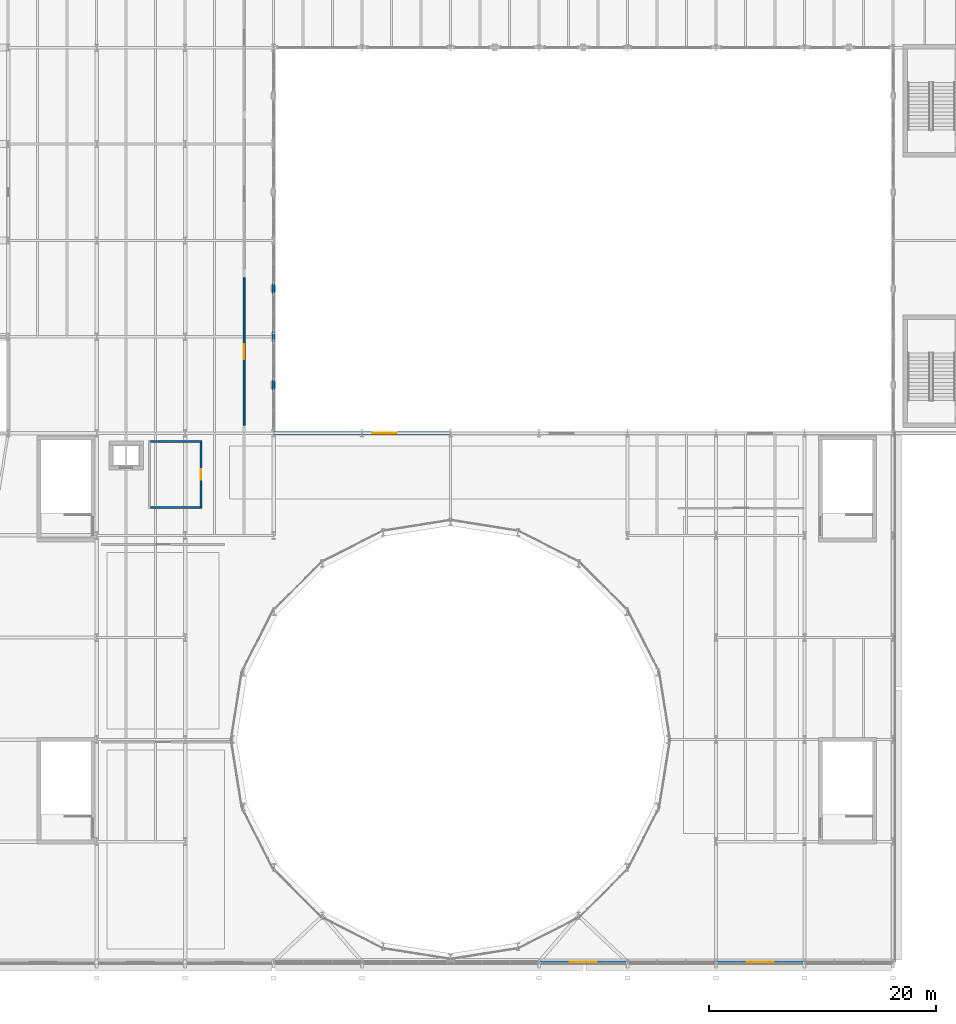
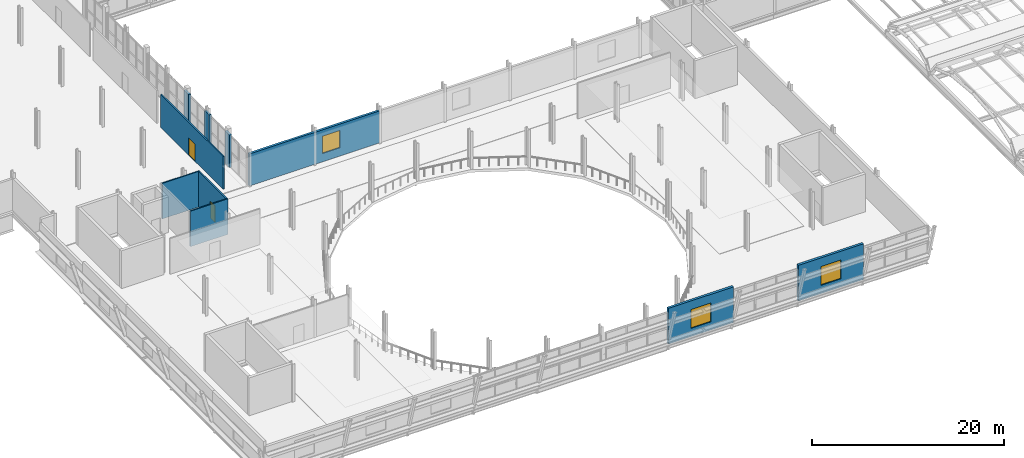
# One storey, part 48 of 63: 10 walls, 3 windows, 2 doors, 5 openings.
"""IFC4 building model written with IfcOpenShell, lengths in metres."""

from ifc_helpers import new_model, si_unit, direction, frame, frame_2d, origin, place, context, subcontext, project, spatial, rectangle, extrude, material, layer, layer_set, type_object, element, fill, save


model = new_model("IFC4")

# Units and contexts
model_context = context("Model", 3, precision=1e-05, world=origin(), true_north=direction((0.0, 1.0)))
body_context = subcontext(model_context, "Body", "Model", "MODEL_VIEW")
ifc_project = project(units=[si_unit("LENGTHUNIT", "METRE"), si_unit("AREAUNIT", "SQUARE_METRE"), si_unit("VOLUMEUNIT", "CUBIC_METRE"), si_unit("PLANEANGLEUNIT", "RADIAN"), si_unit("MASSUNIT", "GRAM", prefix="KILO")], contexts=[model_context])

# Site, building, storey
site_placement = place(None, origin())
site = spatial("IfcSite", under=ifc_project, at=site_placement, CompositionType="ELEMENT")
building_placement = place(site_placement, origin())
building = spatial("IfcBuilding", under=site, at=building_placement, Name="Sefraquen Railside Congress Hotel", CompositionType="ELEMENT")
storey_placement = place(building_placement, frame((0.0, 0.0, 11.39990234375)))
storey = spatial("IfcBuildingStorey", under=building, at=storey_placement, Name="L02", CompositionType="ELEMENT", Elevation=11.39990234375)

# Wall, opening, window
ifc_material_1 = material(Name="Ochre Rabat calcarenite limestone and Concrete C40/50 backing", Category="masonry")
ifc_layer_1 = layer(ifc_material_1, 0.280029296875)
ifc_layer_set_1 = layer_set([ifc_layer_1], Name="Ochre Rabat calcarenite limestone and Concrete C40/50 backing")
wall_type_1 = type_object("IfcWallType", Name="TW-EW-280", PredefinedType="STANDARD", material=ifc_layer_set_1)
wall_1_placement = place(storey_placement, frame((48.60009765625, 54.0, 0.0), z_axis=(0.0, 0.0, 1.0), x_axis=(1.0, 0.0, 0.0)))
wall_1 = element("IfcWall", 1, at=wall_1_placement, inside=storey, type_object=wall_type_1, Name="Congress Hall L02 courtyard north facade wall 1", PredefinedType="STANDARD", context=body_context, shape_type="SweptSolid", body=[
    extrude(rectangle(XDim=15.599853515625, YDim=0.280029296875, at=frame_2d((7.7998046875, 0.0))), origin(), (0.0, 0.0, 1.0), 4.06005859375),
])
opening_1_placement = place(wall_1_placement, frame((8.75, 0.0, 1.050048828125)))
opening_1 = element("IfcOpeningElement", 2, at=opening_1_placement, cuts=wall_1, Name="Opening WN-07", PredefinedType="OPENING", context=body_context, shape_type="SweptSolid", body=[
    extrude(rectangle(XDim=2.10009765625, YDim=2.199951171875, at=frame_2d((1.050048828125, 1.10009765625))), frame((0.0, 0.14990234375, 0.0), z_axis=(0.0, -1.0, 0.0), x_axis=(1.0, 0.0, 0.0)), (0.0, 0.0, 1.0), 0.300048828125),
])
ifc_material_2 = material(Name="Solar-control low-E double glazing in bronze-anodised frame", Category="glass")
window_type_1 = type_object("IfcWindowType", Name="TWN-W-07", PartitioningType="DOUBLE_PANEL_VERTICAL", PredefinedType="WINDOW", material=ifc_material_2)
window_1_placement = place(opening_1_placement, origin())
window_1 = element("IfcWindow", 3, at=window_1_placement, inside=storey, type_object=window_type_1, Name="Congress courtyard north window L02-1", OverallHeight=2.199951171875, OverallWidth=2.10009765625, PartitioningType="DOUBLE_PANEL_VERTICAL", PredefinedType="WINDOW", context=body_context, shape_type="SweptSolid", body=[
    extrude(rectangle(XDim=2.10009765625, YDim=2.199951171875, at=frame_2d((1.050048828125, 1.10009765625))), frame((0.0, 0.030029296875, 0.0), z_axis=(0.0, -1.0, 0.0), x_axis=(1.0, 0.0, 0.0)), (0.0, 0.0, 1.0), 0.06005859375),
])
fill(opening_1, window_1)

# Walls
for number, where, z_axis, x_axis, name in (
    (4, (48.60009765625, 57.77001953125, 0.0), (0.0, 0.0, 1.0), (0.0, 1.0, 0.0), "Courtyard west gallery curtain wall L02 column pier closure 1"),
    (5, (48.60009765625, 62.02001953125, 0.0), (0.0, 0.0, 1.0), (0.0, 1.0, 0.0), "Courtyard west gallery curtain wall L02 column pier closure 2"),
    (6, (48.60009765625, 66.27001953125, 0.0), (0.0, 0.0, 1.0), (0.0, 1.0, 0.0), "Courtyard west gallery curtain wall L02 column pier closure 3"),
):
    element("IfcWall", number, at=place(storey_placement, frame(where, z_axis=z_axis, x_axis=x_axis)), inside=storey, type_object=wall_type_1, Name=name, PredefinedType="STANDARD", context=body_context, shape_type="SweptSolid", body=[
        extrude(rectangle(XDim=0.9599609375, YDim=0.260009765625, at=frame_2d((0.47998046875, 0.0))), origin(), (0.0, 0.0, 1.0), 4.110107421875),
    ])

# Wall, opening, window
ifc_layer_2 = layer(ifc_material_1, 0.300048828125)
ifc_layer_set_2 = layer_set([ifc_layer_2], Name="Ochre Rabat calcarenite limestone and Concrete C40/50 backing")
wall_type_2 = type_object("IfcWallType", Name="TW-EW-300", PredefinedType="STANDARD", material=ifc_layer_set_2)
wall_2_placement = place(storey_placement, frame((72.0, 7.400390625, 0.0), z_axis=(0.0, 0.0, 1.0), x_axis=(1.0, 0.0, 0.0)))
wall_2 = element("IfcWall", 7, at=wall_2_placement, inside=storey, type_object=wall_type_2, Name="Congress Hall L02 south spandrel wall 7", PredefinedType="STANDARD", context=body_context, shape_type="SweptSolid", body=[
    extrude(rectangle(XDim=7.800048828125, YDim=0.300048828125, at=frame_2d((3.89990234375, 0.0))), origin(), (0.0, 0.0, 1.0), 4.5400390625),
])
opening_2_placement = place(wall_2_placement, frame((2.699951171875, 0.0, 1.050048828125)))
opening_2 = element("IfcOpeningElement", 8, at=opening_2_placement, cuts=wall_2, Name="Opening WN-09", PredefinedType="OPENING", context=body_context, shape_type="SweptSolid", body=[
    extrude(rectangle(XDim=2.39990234375, YDim=2.39990234375, at=frame_2d((1.199951171875, 1.199951171875))), frame((0.0, 0.159912109375, 0.0), z_axis=(0.0, -1.0, 0.0), x_axis=(1.0, 0.0, 0.0)), (0.0, 0.0, 1.0), 0.320068359375),
])
window_type_2 = type_object("IfcWindowType", Name="TWN-W-09", PartitioningType="DOUBLE_PANEL_VERTICAL", PredefinedType="WINDOW", material=ifc_material_2)
window_2_placement = place(opening_2_placement, origin())
window_2 = element("IfcWindow", 9, at=window_2_placement, inside=storey, type_object=window_type_2, Name="Congress south arched window L02-7", OverallHeight=2.39990234375, OverallWidth=2.39990234375, PartitioningType="DOUBLE_PANEL_VERTICAL", PredefinedType="WINDOW", context=body_context, shape_type="SweptSolid", body=[
    extrude(rectangle(XDim=2.39990234375, YDim=2.39990234375, at=frame_2d((1.199951171875, 1.199951171875))), frame((0.0, 0.030029296875, 0.0), z_axis=(0.0, -1.0, 0.0), x_axis=(1.0, 0.0, 0.0)), (0.0, 0.0, 1.0), 0.06005859375),
])
fill(opening_2, window_2)

wall_3_placement = place(storey_placement, frame((87.60009765625, 7.400390625, 0.0), z_axis=(0.0, 0.0, 1.0), x_axis=(1.0, 0.0, 0.0)))
wall_3 = element("IfcWall", 10, at=wall_3_placement, inside=storey, type_object=wall_type_2, Name="Congress Hall L02 south spandrel wall 9", PredefinedType="STANDARD", context=body_context, shape_type="SweptSolid", body=[
    extrude(rectangle(XDim=7.7998046875, YDim=0.300048828125, at=frame_2d((3.89990234375, 0.0))), origin(), (0.0, 0.0, 1.0), 4.5400390625),
])
opening_3_placement = place(wall_3_placement, frame((2.699951171875, 0.0, 1.050048828125)))
opening_3 = element("IfcOpeningElement", 11, at=opening_3_placement, cuts=wall_3, Name="Opening WN-09", PredefinedType="OPENING", context=body_context, shape_type="SweptSolid", body=[
    extrude(rectangle(XDim=2.39990234375, YDim=2.39990234375, at=frame_2d((1.199951171875, 1.199951171875))), frame((0.0, 0.159912109375, 0.0), z_axis=(0.0, -1.0, 0.0), x_axis=(1.0, 0.0, 0.0)), (0.0, 0.0, 1.0), 0.320068359375),
])
window_3_placement = place(opening_3_placement, origin())
window_3 = element("IfcWindow", 12, at=window_3_placement, inside=storey, type_object=window_type_2, Name="Congress south arched window L02-9", OverallHeight=2.39990234375, OverallWidth=2.39990234375, PartitioningType="DOUBLE_PANEL_VERTICAL", PredefinedType="WINDOW", context=body_context, shape_type="SweptSolid", body=[
    extrude(rectangle(XDim=2.39990234375, YDim=2.39990234375, at=frame_2d((1.199951171875, 1.199951171875))), frame((0.0, 0.030029296875, 0.0), z_axis=(0.0, -1.0, 0.0), x_axis=(1.0, 0.0, 0.0)), (0.0, 0.0, 1.0), 0.06005859375),
])
fill(opening_3, window_3)

# Walls
ifc_material_3 = material(Name="Moisture-resistant gypsum board", Category="gypsum")
ifc_layer_3 = layer(ifc_material_3, 0.139892578125)
ifc_layer_set_3 = layer_set([ifc_layer_3], Name="Moisture-resistant gypsum board")
wall_type_3 = type_object("IfcWallType", Name="TW-PW-140", PredefinedType="PARTITIONING", material=ifc_layer_set_3)
for number, where, z_axis, x_axis, name in (
    (13, (37.77001953125, 47.4599609375, 0.0), (0.0, 0.0, 1.0), (1.0, 0.0, 0.0), "Congress L02 accessible WC south enclosure partition"),
    (14, (37.77001953125, 53.280029296875, 0.0), (0.0, 0.0, 1.0), (1.0, 0.0, 0.0), "Congress L02 accessible WC north enclosure partition"),
):
    element("IfcWall", number, at=place(storey_placement, frame(where, z_axis=z_axis, x_axis=x_axis)), inside=storey, type_object=wall_type_3, Name=name, PredefinedType="PARTITIONING", context=body_context, shape_type="SweptSolid", body=[
        extrude(rectangle(XDim=4.510009765625, YDim=0.139892578125, at=frame_2d((2.2548828125, 0.0))), origin(), (0.0, 0.0, 1.0), 4.52001953125),
    ])

# Wall, opening, door
ifc_layer_4 = layer(ifc_material_3, 0.159912109375)
ifc_layer_set_4 = layer_set([ifc_layer_4], Name="Moisture-resistant gypsum board")
wall_type_4 = type_object("IfcWallType", Name="TW-PW-160", PredefinedType="PARTITIONING", material=ifc_layer_set_4)
wall_4_placement = place(storey_placement, frame((42.199951171875, 47.530029296875, 0.0), z_axis=(0.0, 0.0, 1.0), x_axis=(0.0, 1.0, 0.0)))
wall_4 = element("IfcWall", 15, at=wall_4_placement, inside=storey, type_object=wall_type_4, Name="Congress L02 Accessible WC enclosure wall", PredefinedType="PARTITIONING", context=body_context, shape_type="SweptSolid", body=[
    extrude(rectangle(XDim=5.679931640625, YDim=0.159912109375, at=frame_2d((2.83984375, 0.0))), origin(), (0.0, 0.0, 1.0), 4.52001953125),
])
opening_4_placement = place(wall_4_placement, frame((2.3701171875, 0.0, 0.0)))
opening_4 = element("IfcOpeningElement", 16, at=opening_4_placement, cuts=wall_4, Name="Opening ID-01", PredefinedType="OPENING", context=body_context, shape_type="SweptSolid", body=[
    extrude(rectangle(XDim=0.93994140625, YDim=2.14990234375, at=frame_2d((0.469970703125, 1.074951171875))), frame((0.0, 0.08984375, 0.0), z_axis=(0.0, -1.0, 0.0), x_axis=(1.0, 0.0, 0.0)), (0.0, 0.0, 1.0), 0.179931640625),
])
ifc_material_4 = material(Name="Lacquered cedar joinery", Category="wood")
door_type_1 = type_object("IfcDoorType", Name="TD-ID-01", OperationType="NOTDEFINED", PredefinedType="DOOR", material=ifc_material_4)
door_1_placement = place(opening_4_placement, origin())
door_1 = element("IfcDoor", 17, at=door_1_placement, inside=storey, type_object=door_type_1, Name="Congress L02 Accessible WC entrance door", OperationType="SINGLE_SWING_LEFT", OverallHeight=2.14990234375, OverallWidth=0.93994140625, PredefinedType="DOOR", context=body_context, shape_type="SweptSolid", body=[
    extrude(rectangle(XDim=0.93994140625, YDim=2.14990234375, at=frame_2d((0.469970703125, 1.074951171875))), frame((0.0, 0.02490234375, 0.0), z_axis=(0.0, -1.0, 0.0), x_axis=(1.0, 0.0, 0.0)), (0.0, 0.0, 1.0), 0.050048828125),
])
fill(opening_4, door_1)

wall_5_placement = place(storey_placement, frame((46.0, 54.699951171875, 0.0), z_axis=(0.0, 0.0, 1.0), x_axis=(0.0, 1.0, 0.0)))
wall_5 = element("IfcWall", 18, at=wall_5_placement, inside=storey, type_object=wall_type_4, Name="Seminar Suite 01 enclosure wall", PredefinedType="PARTITIONING", context=body_context, shape_type="SweptSolid", body=[
    extrude(rectangle(XDim=13.0, YDim=0.159912109375, at=frame_2d((6.5, 0.0))), origin(), (0.0, 0.0, 1.0), 4.18017578125),
])
opening_5_placement = place(wall_5_placement, frame((5.85009765625, 0.0, 0.0)))
opening_5 = element("IfcOpeningElement", 19, at=opening_5_placement, cuts=wall_5, Name="Opening MD-02", PredefinedType="OPENING", context=body_context, shape_type="SweptSolid", body=[
    extrude(rectangle(XDim=1.300048828125, YDim=2.199951171875, at=frame_2d((0.64990234375, 1.10009765625))), frame((0.0, 0.08984375, 0.0), z_axis=(0.0, -1.0, 0.0), x_axis=(1.0, 0.0, 0.0)), (0.0, 0.0, 1.0), 0.179931640625),
])
ifc_material_5 = material(Name="Acoustic cedar veneer", Category="wood")
door_type_2 = type_object("IfcDoorType", Name="TD-MD-02", OperationType="NOTDEFINED", PredefinedType="DOOR", material=ifc_material_5)
door_2_placement = place(opening_5_placement, origin())
door_2 = element("IfcDoor", 20, at=door_2_placement, inside=storey, type_object=door_type_2, Name="Seminar Suite 01 entrance door", OperationType="SINGLE_SWING_RIGHT", OverallHeight=2.199951171875, OverallWidth=1.300048828125, PredefinedType="DOOR", context=body_context, shape_type="SweptSolid", body=[
    extrude(rectangle(XDim=1.300048828125, YDim=2.199951171875, at=frame_2d((0.64990234375, 1.10009765625))), frame((0.0, 0.02490234375, 0.0), z_axis=(0.0, -1.0, 0.0), x_axis=(1.0, 0.0, 0.0)), (0.0, 0.0, 1.0), 0.050048828125),
])
fill(opening_5, door_2)

save(model, "model.ifc")
